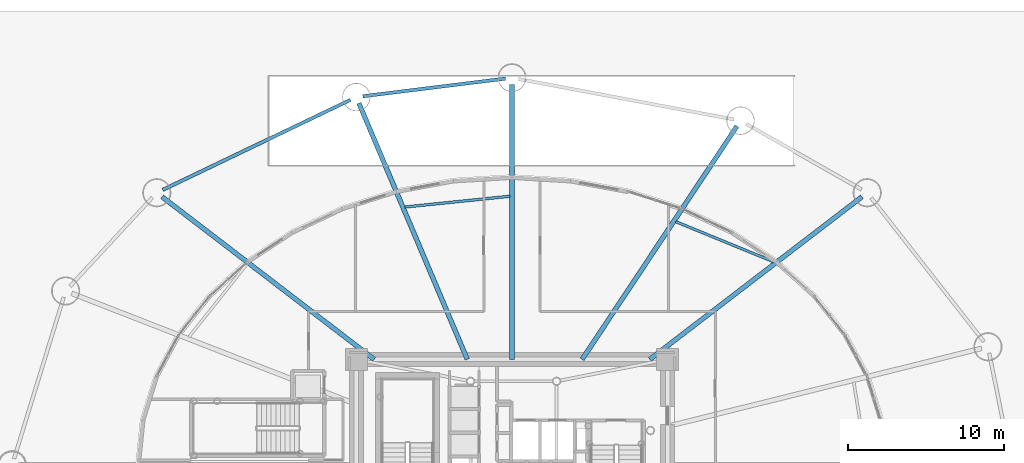
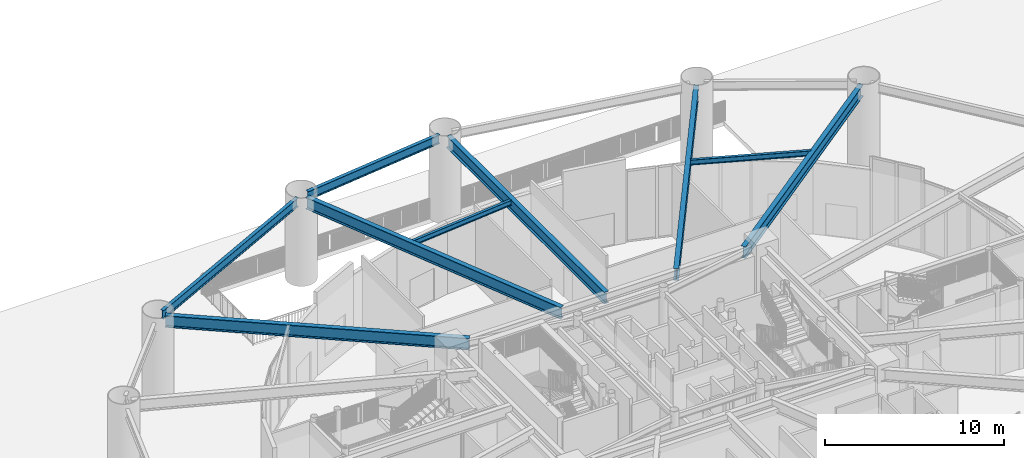
# One storey, part 22 of 46: 9 beams.
"""IFC4 building model written with IfcOpenShell, lengths in metres."""

import ifcopenshell
import ifcopenshell.guid

model = None  # the IFC model being written
_history = None  # IfcOwnerHistory: only IFC2X3 demands one
_inside = {}  # id of a spatial element -> (the spatial element, [elements in it])
_under = {}  # id of a project, library or spatial element -> (it, [spatial elements below it])
_declared = {}  # id of a project -> (the project, [libraries it declares])
_typed = {}  # id of a type object -> (the type object, [elements of that type])
_made_of = {}  # id of a material, layer set ... -> (it, [elements and type objects made of it])


def new_model(schema):
    """Start an empty IFC model of exactly this schema.

    Asked for "IFC4X3", IfcOpenShell would pick the latest addendum, in which some entities
    have other attributes; the version numbers below select the first issue.
    IFC2X3 requires an IfcOwnerHistory on every rooted entity: one is made here for all.
    """
    global model, _history
    if schema == "IFC4X3":
        model = ifcopenshell.file(schema_version=(4, 3, 0, 0))
    else:
        model = ifcopenshell.file(schema=schema)
    _inside.clear()
    _under.clear()
    _declared.clear()
    _typed.clear()
    _made_of.clear()
    _history = None
    if model.schema == "IFC2X3":
        org = make("IfcOrganization", Name="unknown")
        user = make(
            "IfcPersonAndOrganization",
            ThePerson=make("IfcPerson", FamilyName="unknown"),
            TheOrganization=org,
        )
        app = make(
            "IfcApplication",
            ApplicationDeveloper=org,
            Version="unknown",
            ApplicationFullName="unknown",
            ApplicationIdentifier="unknown",
        )
        _history = make(
            "IfcOwnerHistory",
            OwningUser=user,
            OwningApplication=app,
            ChangeAction="ADDED",
            CreationDate=0,
        )
    return model


def make(cls, **values):
    """One entity of the class cls with the attributes given. An attribute that is None is left unset."""
    return model.create_entity(
        cls, **{name: value for name, value in values.items() if value is not None}
    )


def rooted(cls, **values):
    """An entity with a GlobalId (a new one), such as an element, a storey or a relation."""
    return make(cls, GlobalId=ifcopenshell.guid.new(), OwnerHistory=_history, **values)


def si_unit(unit_type, name, prefix=None):
    """IfcSIUnit, for example si_unit("LENGTHUNIT", "METRE", prefix="MILLI")."""
    return make("IfcSIUnit", UnitType=unit_type, Prefix=prefix, Name=name)


def assignment(units):
    """IfcUnitAssignment: the units of a project."""
    return None if units is None else make("IfcUnitAssignment", Units=units)


def point(xyz):
    """IfcCartesianPoint."""
    return None if xyz is None else make("IfcCartesianPoint", Coordinates=xyz)


def direction(xyz):
    """IfcDirection."""
    return None if xyz is None else make("IfcDirection", DirectionRatios=xyz)


def frame(location, z_axis=None, x_axis=None):
    """IfcAxis2Placement3D, a coordinate frame: its origin and axes. An axis left out is left unset."""
    return make(
        "IfcAxis2Placement3D",
        Location=point(location),
        Axis=direction(z_axis),
        RefDirection=direction(x_axis),
    )


def frame_2d(location, x_axis=None):
    """IfcAxis2Placement2D, a coordinate frame in the plane: its origin and x axis."""
    return make(
        "IfcAxis2Placement2D", Location=point(location), RefDirection=direction(x_axis)
    )


def origin():
    """The frame at (0, 0, 0) with its axes left unset."""
    return frame((0.0, 0.0, 0.0))


def origin_2d():
    """The frame at (0, 0) in the plane with its x axis left unset."""
    return frame_2d((0.0, 0.0))


def place(relative_to, where):
    """IfcLocalPlacement: puts the frame where relative to a parent placement (None: the world)."""
    return make(
        "IfcLocalPlacement", PlacementRelTo=relative_to, RelativePlacement=where
    )


def context(
    kind, dimensions, precision=None, world=None, true_north=None, identifier=None
):
    """IfcGeometricRepresentationContext, for example the 3D "Model" context."""
    return make(
        "IfcGeometricRepresentationContext",
        ContextIdentifier=identifier,
        ContextType=kind,
        CoordinateSpaceDimension=dimensions,
        Precision=precision,
        WorldCoordinateSystem=world,
        TrueNorth=true_north,
    )


def subcontext(parent, identifier, kind, view, scale=None):
    """IfcGeometricRepresentationSubContext, for example "Body" below "Model"."""
    return make(
        "IfcGeometricRepresentationSubContext",
        ContextIdentifier=identifier,
        ContextType=kind,
        ParentContext=parent,
        TargetScale=scale,
        TargetView=view,
    )


def project(units=None, contexts=None):
    """IfcProject with its units and contexts."""
    return rooted(
        "IfcProject",
        Name="project",
        RepresentationContexts=contexts,
        UnitsInContext=assignment(units),
    )


def spatial(cls, under=None, at=None, **own):
    """A site, building, storey or space (cls), placed at a placement, below another one or the project."""
    s = rooted(cls, ObjectPlacement=at, **own)
    if under is not None:
        _under.setdefault(under.id(), (under, []))[1].append(s)
    return s


def profile(cls, at=None, kind="AREA", **sizes):
    """A parametric profile (cls). Its sizes go by their IFC names, for example OverallWidth=200.0."""
    return make(cls, ProfileType=kind, Position=at, **sizes)


def i_section(**sizes):
    """IfcIShapeProfileDef."""
    return profile("IfcIShapeProfileDef", **sizes)


def extrude(swept, where, along, depth):
    """IfcExtrudedAreaSolid: the profile swept, set in the frame where, extruded along a direction by depth."""
    return make(
        "IfcExtrudedAreaSolid",
        SweptArea=swept,
        Position=where,
        ExtrudedDirection=direction(along),
        Depth=depth,
    )


def shape(context_of_items, identifier, shape_type, items):
    """IfcShapeRepresentation: the items that make up one representation, for example the "Body"."""
    return make(
        "IfcShapeRepresentation",
        ContextOfItems=context_of_items,
        RepresentationIdentifier=identifier,
        RepresentationType=shape_type,
        Items=items,
    )


def material(Name=None, Category=None):
    """IfcMaterial."""
    return make("IfcMaterial", Name=Name, Category=Category)


def material_profile(
    of_material, cross_section, Name=None, Category=None, Priority=None
):
    """IfcMaterialProfile: a cross section and its material."""
    return make(
        "IfcMaterialProfile",
        Name=Name,
        Material=of_material,
        Profile=cross_section,
        Priority=Priority,
        Category=Category,
    )


def profile_set(profiles, Name=None, composite=None):
    """IfcMaterialProfileSet."""
    return make(
        "IfcMaterialProfileSet",
        Name=Name,
        MaterialProfiles=profiles,
        CompositeProfile=composite,
    )


def made_of(thing, what):
    """Note that an element or type object is made of a material, layer set ...; save() writes the relation."""
    if what is not None:
        _made_of.setdefault(what.id(), (what, []))[1].append(thing)
    return thing


def type_object(cls, material=None, **own):
    """A type object (cls), such as IfcWallType, which elements share."""
    return made_of(rooted(cls, **own), material)


def element(
    cls,
    number,
    at=None,
    inside=None,
    cuts=None,
    type_object=None,
    material=None,
    context=None,
    identifier="Body",
    shape_type=None,
    held_by="IfcProductDefinitionShape",
    body=None,
    shapes=None,
    **own,
):
    """One element of the class cls, such as IfcWall. Its Tag is "e" and its number.

    at: its placement. inside: the storey or other place that contains it. cuts: it is an
    opening in that element (IfcRelVoidsElement). A single representation is given by context,
    identifier, shape_type and body (its items); several are given by shapes. held_by: the class
    of the entity that holds the representations. save() writes the other relations.
    """
    e = rooted(cls, Tag="e%d" % number, ObjectPlacement=at, **own)
    if body is not None:
        shapes = [shape(context, identifier, shape_type, body)]
    if shapes is not None:
        e.Representation = make(held_by, Representations=shapes)
    if inside is not None:
        _inside.setdefault(inside.id(), (inside, []))[1].append(e)
    if cuts is not None:
        rooted(
            "IfcRelVoidsElement", RelatingBuildingElement=cuts, RelatedOpeningElement=e
        )
    if type_object is not None:
        _typed.setdefault(type_object.id(), (type_object, []))[1].append(e)
    return made_of(e, material)


def aggregate(whole, parts):
    """IfcRelAggregates: a whole, such as a stair, and the parts it consists of."""
    return rooted("IfcRelAggregates", RelatingObject=whole, RelatedObjects=parts)


def save(model, path):
    """Write the relations noted so far, then the file.

    IfcRelAggregates (storeys below a building ...), IfcRelContainedInSpatialStructure (elements
    in a storey), IfcRelDefinesByType, IfcRelAssociatesMaterial and IfcRelDeclares: one each for
    every whole, place, type object, material and project.
    """
    for whole, parts in _under.values():
        aggregate(whole, parts)
    for where, things in _inside.values():
        rooted(
            "IfcRelContainedInSpatialStructure",
            RelatedElements=things,
            RelatingStructure=where,
        )
    for kind, things in _typed.values():
        rooted("IfcRelDefinesByType", RelatedObjects=things, RelatingType=kind)
    for what, things in _made_of.values():
        rooted("IfcRelAssociatesMaterial", RelatedObjects=things, RelatingMaterial=what)
    for by, libraries in _declared.values():
        rooted("IfcRelDeclares", RelatingContext=by, RelatedDefinitions=libraries)
    model.write(path)


model = new_model("IFC4")

# Units and contexts
model_context = context("Model", 3, precision=1e-05, world=origin(), true_north=direction((0.0, 1.0)))
body_context = subcontext(model_context, "Body", "Model", "MODEL_VIEW")
ifc_project = project(units=[si_unit("LENGTHUNIT", "METRE"), si_unit("AREAUNIT", "SQUARE_METRE"), si_unit("VOLUMEUNIT", "CUBIC_METRE"), si_unit("PLANEANGLEUNIT", "RADIAN"), si_unit("MASSUNIT", "GRAM", prefix="KILO")], contexts=[model_context])

# Site, building, storey
site_placement = place(None, origin())
site = spatial("IfcSite", under=ifc_project, at=site_placement, CompositionType="ELEMENT")
building_placement = place(site_placement, origin())
building = spatial("IfcBuilding", under=site, at=building_placement, Name="Linh Dai School and Residence Tower", CompositionType="ELEMENT")
storey_placement = place(building_placement, origin())
storey = spatial("IfcBuildingStorey", under=building, at=storey_placement, Name="L00", CompositionType="ELEMENT", Elevation=0.0)

# Beams
ifc_material = material(Name="Structural Steel S355JR", Category="steel")
ifc_material_profile_1 = material_profile(ifc_material, i_section(OverallWidth=0.219970703125, OverallDepth=0.60009765625, WebThickness=0.011962890625, FlangeThickness=0.01904296875, FilletRadius=0.02392578125, at=origin_2d()), Name="IPE 600")
ifc_profile_set_1 = profile_set([ifc_material_profile_1], Name="Structural Steel S355JR")
beam_type_1 = type_object("IfcBeamType", Name="BM-RB60", PredefinedType="BEAM", material=ifc_profile_set_1)
beam_1_placement = place(storey_placement, frame((35.583251953125, 51.6982421875, 5.39990234375), z_axis=(-0.992402470446, -0.123033884169, 0.0), x_axis=(0.123033884169, -0.992402470446, 0.0)))
element("IfcBeam", 1, at=beam_1_placement, inside=storey, type_object=beam_type_1, Name="L00 Perimeter Elliptical Ring Beam 05", PredefinedType="BEAM", context=body_context, shape_type="SweptSolid", body=[
    extrude(i_section(OverallWidth=0.219970703125, OverallDepth=0.60009765625, WebThickness=0.011962890625, FlangeThickness=0.01904296875, FilletRadius=0.02392578125, at=origin_2d()), origin(), (0.0, 0.0, 1.0), 9.1875),
])
beam_2_placement = place(storey_placement, frame((25.670166015625, 50.33447265625, 5.39990234375), z_axis=(-0.901703667424, -0.432354595388, 0.0), x_axis=(0.432354595388, -0.901703667424, 0.0)))
element("IfcBeam", 2, at=beam_2_placement, inside=storey, type_object=beam_type_1, Name="L00 Perimeter Elliptical Ring Beam 06", PredefinedType="BEAM", context=body_context, shape_type="SweptSolid", body=[
    extrude(i_section(OverallWidth=0.219970703125, OverallDepth=0.60009765625, WebThickness=0.011962890625, FlangeThickness=0.01904296875, FilletRadius=0.02392578125, at=origin_2d()), origin(), (0.0, 0.0, 1.0), 13.304443359375),
])
ifc_material_profile_2 = material_profile(ifc_material, i_section(OverallWidth=0.300048828125, OverallDepth=0.800048828125, WebThickness=0.017578125, FlangeThickness=0.032958984375, FilletRadius=0.030029296875, at=origin_2d()), Name="HEB 800")
ifc_profile_set_2 = profile_set([ifc_material_profile_2], Name="Structural Steel S355JR")
beam_type_2 = type_object("IfcBeamType", Name="BM-RG8", PredefinedType="BEAM", material=ifc_profile_set_2)
beam_3_placement = place(storey_placement, frame((44.807861328125, 33.75, 5.300048828125), z_axis=(0.793713040757, 0.608292371259, 0.0), x_axis=(-0.608292371259, 0.793713040757, 0.0)))
element("IfcBeam", 3, at=beam_3_placement, inside=storey, type_object=beam_type_2, Name="L00 Primary Radial Floor Girder 03", PredefinedType="BEAM", context=body_context, shape_type="SweptSolid", body=[
    extrude(i_section(OverallWidth=0.300048828125, OverallDepth=0.800048828125, WebThickness=0.017578125, FlangeThickness=0.032958984375, FilletRadius=0.030029296875, at=origin_2d()), origin(), (0.0, 0.0, 1.0), 17.08935546875),
])
beam_4_placement = place(storey_placement, frame((40.481201171875, 33.75, 5.300048828125), z_axis=(0.553108911901, 0.833108955404, 0.0), x_axis=(-0.833108955404, 0.553108911901, 0.0)))
element("IfcBeam", 4, at=beam_4_placement, inside=storey, type_object=beam_type_2, Name="L00 Primary Radial Floor Girder 04", PredefinedType="BEAM", context=body_context, shape_type="SweptSolid", body=[
    extrude(i_section(OverallWidth=0.300048828125, OverallDepth=0.800048828125, WebThickness=0.017578125, FlangeThickness=0.032958984375, FilletRadius=0.030029296875, at=origin_2d()), origin(), (0.0, 0.0, 1.0), 17.89111328125),
])
beam_5_placement = place(storey_placement, frame((36.0, 33.75, 5.300048828125), z_axis=(0.0, 1.0, 0.0), x_axis=(-1.0, 0.0, 0.0)))
element("IfcBeam", 5, at=beam_5_placement, inside=storey, type_object=beam_type_2, Name="L00 Primary Radial Floor Girder 05", PredefinedType="BEAM", context=body_context, shape_type="SweptSolid", body=[
    extrude(i_section(OverallWidth=0.300048828125, OverallDepth=0.800048828125, WebThickness=0.017578125, FlangeThickness=0.032958984375, FilletRadius=0.030029296875, at=origin_2d()), origin(), (0.0, 0.0, 1.0), 17.580078125),
])
beam_6_placement = place(storey_placement, frame((33.1435546875, 33.75, 5.300048828125), z_axis=(-0.389695518128, 0.920943756779, 0.0), x_axis=(-0.920943756779, -0.389695518128, 0.0)))
element("IfcBeam", 6, at=beam_6_placement, inside=storey, type_object=beam_type_2, Name="L00 Primary Radial Floor Girder 06", PredefinedType="BEAM", context=body_context, shape_type="SweptSolid", body=[
    extrude(i_section(OverallWidth=0.300048828125, OverallDepth=0.800048828125, WebThickness=0.017578125, FlangeThickness=0.032958984375, FilletRadius=0.030029296875, at=origin_2d()), origin(), (0.0, 0.0, 1.0), 17.785400390625),
])
beam_7_placement = place(storey_placement, frame((27.192138671875, 33.75, 5.300048828125), z_axis=(-0.793713040757, 0.608292371259, 0.0), x_axis=(-0.608292371259, -0.793713040757, 0.0)))
element("IfcBeam", 7, at=beam_7_placement, inside=storey, type_object=beam_type_2, Name="L00 Primary Radial Floor Girder 07", PredefinedType="BEAM", context=body_context, shape_type="SweptSolid", body=[
    extrude(i_section(OverallWidth=0.300048828125, OverallDepth=0.800048828125, WebThickness=0.017578125, FlangeThickness=0.032958984375, FilletRadius=0.030029296875, at=origin_2d()), origin(), (0.0, 0.0, 1.0), 17.08935546875),
])
ifc_material_profile_3 = material_profile(ifc_material, i_section(OverallWidth=0.169921875, OverallDepth=0.360107421875, WebThickness=0.008056640625, FlangeThickness=0.0126953125, FilletRadius=0.01806640625, at=origin_2d()), Name="IPE 360")
ifc_profile_set_3 = profile_set([ifc_material_profile_3], Name="Structural Steel S355JR")
beam_type_3 = type_object("IfcBeamType", Name="BM-SB36", PredefinedType="BEAM", material=ifc_profile_set_3)
beam_8_placement = place(storey_placement, frame((52.748046875, 39.976806640625, 5.52001953125), z_axis=(-0.925243182728, 0.37937455478, 0.0), x_axis=(-0.37937455478, -0.925243182728, 0.0)))
element("IfcBeam", 8, at=beam_8_placement, inside=storey, type_object=beam_type_3, Name="L00 Secondary Circumferential Floor Beam 02", PredefinedType="BEAM", context=body_context, shape_type="SweptSolid", body=[
    extrude(i_section(OverallWidth=0.169921875, OverallDepth=0.360107421875, WebThickness=0.008056640625, FlangeThickness=0.0126953125, FilletRadius=0.01806640625, at=origin_2d()), origin(), (0.0, 0.0, 1.0), 6.779052734375),
])
beam_9_placement = place(storey_placement, frame((35.87060546875, 44.1767578125, 5.52001953125), z_axis=(-0.994770416376, -0.102136275157, 0.0), x_axis=(0.102136275157, -0.994770416376, 0.0)))
element("IfcBeam", 9, at=beam_9_placement, inside=storey, type_object=beam_type_3, Name="L00 Secondary Circumferential Floor Beam 03", PredefinedType="BEAM", context=body_context, shape_type="SweptSolid", body=[
    extrude(i_section(OverallWidth=0.169921875, OverallDepth=0.360107421875, WebThickness=0.008056640625, FlangeThickness=0.0126953125, FilletRadius=0.01806640625, at=origin_2d()), origin(), (0.0, 0.0, 1.0), 6.748046875),
])

save(model, "model.ifc")
